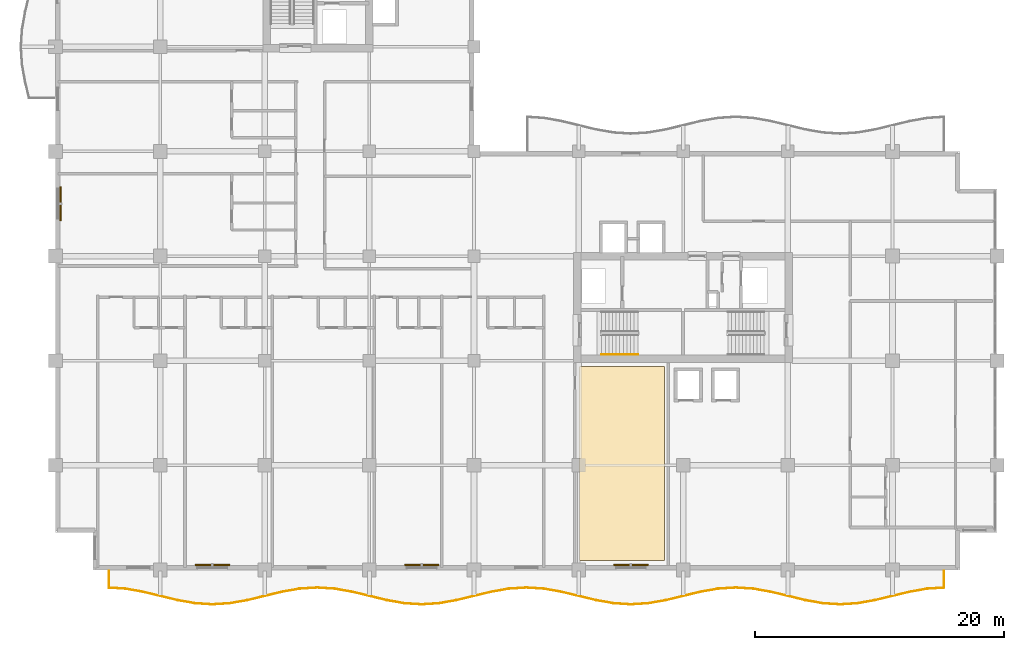
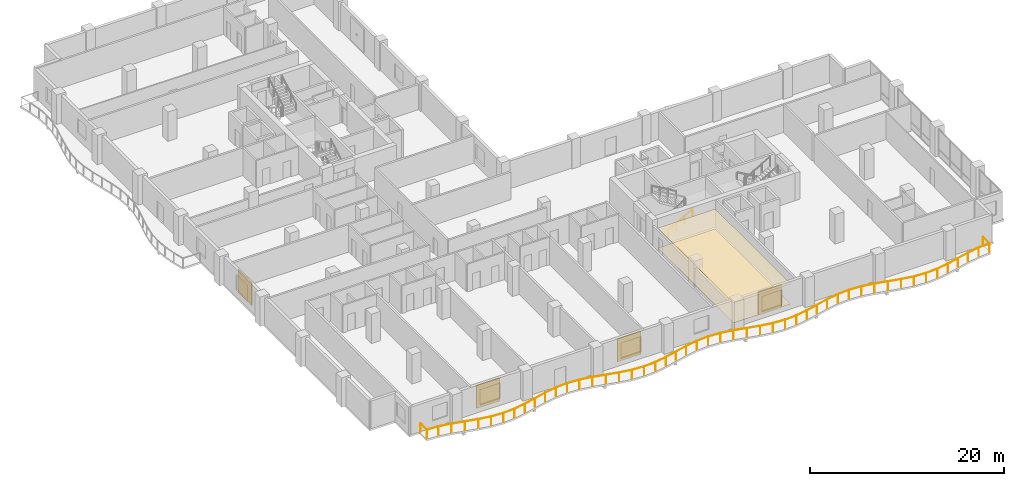
# One storey, part 18 of 21: 4 shading devices, 2 coverings, 2 railings.
"""IFC4 building model written with IfcOpenShell, lengths in metres."""

from ifc_helpers import new_model, si_unit, direction, frame, origin, origin_2d, place, context, subcontext, project, spatial, polyline, rectangle, circle, outline, extrude, material, layer, layer_set, type_object, element, save


model = new_model("IFC4")

# Units and contexts
model_context = context("Model", 3, precision=1e-05, world=origin(), true_north=direction((0.0, 1.0)))
body_context = subcontext(model_context, "Body", "Model", "MODEL_VIEW")
ifc_project = project(units=[si_unit("LENGTHUNIT", "METRE"), si_unit("AREAUNIT", "SQUARE_METRE"), si_unit("VOLUMEUNIT", "CUBIC_METRE"), si_unit("PLANEANGLEUNIT", "RADIAN"), si_unit("MASSUNIT", "GRAM", prefix="KILO")], contexts=[model_context])

# Site, building, storey
site_placement = place(None, origin())
site = spatial("IfcSite", under=ifc_project, at=site_placement, CompositionType="ELEMENT")
building_placement = place(site_placement, origin())
building = spatial("IfcBuilding", under=site, at=building_placement, Name="Koriwani Terraces Tower", CompositionType="ELEMENT")
storey_placement = place(building_placement, frame((0.0, 0.0, 197.60009765625)))
storey = spatial("IfcBuildingStorey", under=building, at=storey_placement, Name="L48", CompositionType="ELEMENT", Elevation=197.60009765625)

# Coverings
ifc_material_1 = material(Name="Fire-Rated Acoustic Gypsum Partition", Category="masonry")
ifc_layer_1 = layer(ifc_material_1, 0.02490234375, Name="Fire-Rated Acoustic Gypsum Partition")
ifc_layer_set_1 = layer_set([ifc_layer_1], Name="Fire-Rated Acoustic Gypsum Partition")
covering_type_1 = type_object("IfcCoveringType", Name="CEILING_ACOUSTIC_GYPSUM", PredefinedType="CEILING", material=ifc_layer_set_1)
covering_1_placement = place(storey_placement, frame((0.0, 0.0, 2.52490234375)))
element("IfcCovering", 1, at=covering_1_placement, inside=storey, type_object=covering_type_1, Name="L48 Suspended Acoustic Gypsum Ceiling", PredefinedType="CEILING", context=body_context, shape_type="SweptSolid", body=[
    extrude(outline(polyline([(42.050048828125, 0.75), (42.050048828125, 16.35009765625), (48.89990234375, 16.35009765625), (48.89990234375, 0.75), (42.050048828125, 0.75)])), origin(), (0.0, 0.0, 1.0), 0.02490234375),
])
ifc_material_2 = material(Name="Polished Andean Slate Flooring", Category="masonry")
ifc_layer_2 = layer(ifc_material_2, 0.030029296875, Name="Polished Andean Slate Flooring")
ifc_layer_set_2 = layer_set([ifc_layer_2], Name="Polished Andean Slate Flooring")
covering_type_2 = type_object("IfcCoveringType", Name="FLOORING_ANDEAN_STONE", PredefinedType="FLOORING", material=ifc_layer_set_2)
covering_2_placement = place(storey_placement, origin())
element("IfcCovering", 2, at=covering_2_placement, inside=storey, type_object=covering_type_2, Name="L48 Polished Andean Slate Floor Finish", PredefinedType="FLOORING", context=body_context, shape_type="SweptSolid", body=[
    extrude(outline(polyline([(42.050048828125, 0.75), (42.050048828125, 16.35009765625), (48.89990234375, 16.35009765625), (48.89990234375, 0.75), (42.050048828125, 0.75)])), origin(), (0.0, 0.0, 1.0), 0.02978515625),
])

# Railings
ifc_material_3 = material(Name="Steel ASTM A572 Grade 50", Category="steel")
railing_type_1 = type_object("IfcRailingType", Name="GUARD_BALUSTRADE_1150", PredefinedType="BALUSTRADE", material=ifc_material_3)
railing_1_placement = place(storey_placement, frame((4.280029296875, -0.080078125, 0.0)))
element("IfcRailing", 3, at=railing_1_placement, inside=storey, type_object=railing_type_1, Name="L48 Balcony Perimeter Safety Balustrade (S)", PredefinedType="BALUSTRADE", context=body_context, shape_type="SweptSolid", body=[
    extrude(circle(Radius=0.02392578125, at=origin_2d()), frame((0.0, 0.0, 1.1259765625), z_axis=(0.0, -1.0, 0.0), x_axis=(1.0, 0.0, 0.0)), (0.0, 0.0, 1.0), 1.344970703125),
    extrude(circle(Radius=0.02392578125, at=origin_2d()), frame((0.0, -1.344970703125, 1.1259765625), z_axis=(0.997917706639, -0.064500006011, 0.0), x_axis=(0.064500006011, 0.997917706639, 0.0)), (0.0, 0.0, 1.0), 1.332275390625),
    extrude(circle(Radius=0.02392578125, at=origin_2d()), frame((1.32958984375, -1.430908203125, 1.1259765625), z_axis=(0.984778396698, -0.173814583381, 0.0), x_axis=(0.173814583381, 0.984778396698, 0.0)), (0.0, 0.0, 1.0), 1.428466796875),
    extrude(circle(Radius=0.02392578125, at=origin_2d()), frame((2.736328125, -1.67919921875, 1.1259765625), z_axis=(0.972166814785, -0.234289744186, 0.0), x_axis=(0.234289744186, 0.972166814785, 0.0)), (0.0, 0.0, 1.0), 2.880126953125),
    extrude(circle(Radius=0.02392578125, at=origin_2d()), frame((5.536376953125, -2.35400390625, 1.1259765625), z_axis=(0.984757491153, -0.173932985997, 0.0), x_axis=(0.173932985997, 0.984757491153, 0.0)), (0.0, 0.0, 1.0), 1.414794921875),
    extrude(circle(Radius=0.02392578125, at=origin_2d()), frame((6.9296875, -2.60009765625, 1.1259765625), z_axis=(0.997930027485, -0.064309099225, 0.0), x_axis=(0.064309099225, 0.997930027485, 0.0)), (0.0, 0.0, 1.0), 1.393310546875),
    extrude(circle(Radius=0.02392578125, at=origin_2d()), frame((8.320068359375, -2.689697265625, 1.1259765625), z_axis=(0.997930027485, 0.064309099225, 0.0), x_axis=(-0.064309099225, 0.997930027485, 0.0)), (0.0, 0.0, 1.0), 1.393310546875),
    extrude(circle(Radius=0.02392578125, at=origin_2d()), frame((9.71044921875, -2.60009765625, 1.1259765625), z_axis=(0.984757491153, 0.173932985997, 0.0), x_axis=(-0.173932985997, 0.984757491153, 0.0)), (0.0, 0.0, 1.0), 1.414794921875),
    extrude(circle(Radius=0.02392578125, at=origin_2d()), frame((11.103759765625, -2.35400390625, 1.1259765625), z_axis=(0.97216216133, 0.234309052487, 0.0), x_axis=(-0.234309052487, 0.97216216133, 0.0)), (0.0, 0.0, 1.0), 2.8798828125),
    extrude(circle(Radius=0.02392578125, at=origin_2d()), frame((13.903564453125, -1.67919921875, 1.1259765625), z_axis=(0.984783558818, 0.173785333909, 0.0), x_axis=(-0.173785333909, 0.984783558818, 0.0)), (0.0, 0.0, 1.0), 1.4287109375),
    extrude(circle(Radius=0.02392578125, at=origin_2d()), frame((15.310546875, -1.430908203125, 1.1259765625), z_axis=(0.997930321615, 0.064304534842, 0.0), x_axis=(-0.064304534842, 0.997930321615, 0.0)), (0.0, 0.0, 1.0), 1.412353515625),
    extrude(circle(Radius=0.02392578125, at=origin_2d()), frame((16.719970703125, -1.340087890625, 1.1259765625), z_axis=(0.997930321615, -0.064304534842, 0.0), x_axis=(0.064304534842, 0.997930321615, 0.0)), (0.0, 0.0, 1.0), 1.412353515625),
    extrude(circle(Radius=0.02392578125, at=origin_2d()), frame((18.12939453125, -1.430908203125, 1.1259765625), z_axis=(0.984783558818, -0.173785333909, 0.0), x_axis=(0.173785333909, 0.984783558818, 0.0)), (0.0, 0.0, 1.0), 1.4287109375),
    extrude(circle(Radius=0.02392578125, at=origin_2d()), frame((19.536376953125, -1.67919921875, 1.1259765625), z_axis=(0.97216216133, -0.234309052487, 0.0), x_axis=(0.234309052487, 0.97216216133, 0.0)), (0.0, 0.0, 1.0), 2.8798828125),
    extrude(circle(Radius=0.02392578125, at=origin_2d()), frame((22.336181640625, -2.35400390625, 1.1259765625), z_axis=(0.984757491153, -0.173932985997, 0.0), x_axis=(0.173932985997, 0.984757491153, 0.0)), (0.0, 0.0, 1.0), 1.414794921875),
    extrude(circle(Radius=0.02392578125, at=origin_2d()), frame((23.7294921875, -2.60009765625, 1.1259765625), z_axis=(0.997930027485, -0.064309099225, 0.0), x_axis=(0.064309099225, 0.997930027485, 0.0)), (0.0, 0.0, 1.0), 1.393310546875),
    extrude(circle(Radius=0.02392578125, at=origin_2d()), frame((25.119873046875, -2.689697265625, 1.1259765625), z_axis=(0.997930027485, 0.064309099225, 0.0), x_axis=(-0.064309099225, 0.997930027485, 0.0)), (0.0, 0.0, 1.0), 1.393310546875),
    extrude(circle(Radius=0.02392578125, at=origin_2d()), frame((26.51025390625, -2.60009765625, 1.1259765625), z_axis=(0.984757491153, 0.173932985997, 0.0), x_axis=(-0.173932985997, 0.984757491153, 0.0)), (0.0, 0.0, 1.0), 1.414794921875),
    extrude(circle(Radius=0.02392578125, at=origin_2d()), frame((27.903564453125, -2.35400390625, 1.1259765625), z_axis=(0.972166814785, 0.234289744186, 0.0), x_axis=(-0.234289744186, 0.972166814785, 0.0)), (0.0, 0.0, 1.0), 2.880126953125),
    extrude(circle(Radius=0.02392578125, at=origin_2d()), frame((30.70361328125, -1.67919921875, 1.1259765625), z_axis=(0.984778396698, 0.173814583381, 0.0), x_axis=(-0.173814583381, 0.984778396698, 0.0)), (0.0, 0.0, 1.0), 1.428466796875),
    extrude(circle(Radius=0.02392578125, at=origin_2d()), frame((32.1103515625, -1.430908203125, 1.1259765625), z_axis=(0.997931036226, 0.064293443969, 0.0), x_axis=(-0.064293443969, 0.997931036226, 0.0)), (0.0, 0.0, 1.0), 1.41259765625),
    extrude(circle(Radius=0.02392578125, at=origin_2d()), frame((33.52001953125, -1.340087890625, 1.1259765625), z_axis=(0.997930321615, -0.064304534842, 0.0), x_axis=(0.064304534842, 0.997930321615, 0.0)), (0.0, 0.0, 1.0), 1.412353515625),
    extrude(circle(Radius=0.02392578125, at=origin_2d()), frame((34.929443359375, -1.430908203125, 1.1259765625), z_axis=(0.984778396698, -0.173814583381, 0.0), x_axis=(0.173814583381, 0.984778396698, 0.0)), (0.0, 0.0, 1.0), 1.428466796875),
    extrude(circle(Radius=0.02392578125, at=origin_2d()), frame((36.336181640625, -1.67919921875, 1.1259765625), z_axis=(0.972166814785, -0.234289744186, 0.0), x_axis=(0.234289744186, 0.972166814785, 0.0)), (0.0, 0.0, 1.0), 2.880126953125),
    extrude(circle(Radius=0.02392578125, at=origin_2d()), frame((39.13623046875, -2.35400390625, 1.1259765625), z_axis=(0.984757491153, -0.173932985997, 0.0), x_axis=(0.173932985997, 0.984757491153, 0.0)), (0.0, 0.0, 1.0), 1.414794921875),
    extrude(circle(Radius=0.02392578125, at=origin_2d()), frame((40.529541015625, -2.60009765625, 1.1259765625), z_axis=(0.997930027485, -0.064309099225, 0.0), x_axis=(0.064309099225, 0.997930027485, 0.0)), (0.0, 0.0, 1.0), 1.393310546875),
    extrude(circle(Radius=0.02392578125, at=origin_2d()), frame((41.919921875, -2.689697265625, 1.1259765625), z_axis=(0.997930027485, 0.064309099225, 0.0), x_axis=(-0.064309099225, 0.997930027485, 0.0)), (0.0, 0.0, 1.0), 1.393310546875),
    extrude(circle(Radius=0.02392578125, at=origin_2d()), frame((43.310302734375, -2.60009765625, 1.1259765625), z_axis=(0.984757491153, 0.173932985997, 0.0), x_axis=(-0.173932985997, 0.984757491153, 0.0)), (0.0, 0.0, 1.0), 1.414794921875),
    extrude(circle(Radius=0.02392578125, at=origin_2d()), frame((44.70361328125, -2.35400390625, 1.1259765625), z_axis=(0.972166814785, 0.234289744186, 0.0), x_axis=(-0.234289744186, 0.972166814785, 0.0)), (0.0, 0.0, 1.0), 2.880126953125),
    extrude(circle(Radius=0.02392578125, at=origin_2d()), frame((47.503662109375, -1.67919921875, 1.1259765625), z_axis=(0.984778396698, 0.173814583381, 0.0), x_axis=(-0.173814583381, 0.984778396698, 0.0)), (0.0, 0.0, 1.0), 1.428466796875),
    extrude(circle(Radius=0.02392578125, at=origin_2d()), frame((48.910400390625, -1.430908203125, 1.1259765625), z_axis=(0.997931036226, 0.064293443969, 0.0), x_axis=(-0.064293443969, 0.997931036226, 0.0)), (0.0, 0.0, 1.0), 1.41259765625),
    extrude(circle(Radius=0.02392578125, at=origin_2d()), frame((50.320068359375, -1.340087890625, 1.1259765625), z_axis=(0.997930321615, -0.064304534842, 0.0), x_axis=(0.064304534842, 0.997930321615, 0.0)), (0.0, 0.0, 1.0), 1.412353515625),
    extrude(circle(Radius=0.02392578125, at=origin_2d()), frame((51.7294921875, -1.430908203125, 1.1259765625), z_axis=(0.984778396698, -0.173814583381, 0.0), x_axis=(0.173814583381, 0.984778396698, 0.0)), (0.0, 0.0, 1.0), 1.428466796875),
    extrude(circle(Radius=0.02392578125, at=origin_2d()), frame((53.13623046875, -1.67919921875, 1.1259765625), z_axis=(0.972166814785, -0.234289744186, 0.0), x_axis=(0.234289744186, 0.972166814785, 0.0)), (0.0, 0.0, 1.0), 2.880126953125),
    extrude(circle(Radius=0.02392578125, at=origin_2d()), frame((55.936279296875, -2.35400390625, 1.1259765625), z_axis=(0.984757491153, -0.173932985997, 0.0), x_axis=(0.173932985997, 0.984757491153, 0.0)), (0.0, 0.0, 1.0), 1.414794921875),
    extrude(circle(Radius=0.02392578125, at=origin_2d()), frame((57.32958984375, -2.60009765625, 1.1259765625), z_axis=(0.997930027485, -0.064309099225, 0.0), x_axis=(0.064309099225, 0.997930027485, 0.0)), (0.0, 0.0, 1.0), 1.393310546875),
    extrude(circle(Radius=0.02392578125, at=origin_2d()), frame((58.719970703125, -2.689697265625, 1.1259765625), z_axis=(0.997930027485, 0.064309099225, 0.0), x_axis=(-0.064309099225, 0.997930027485, 0.0)), (0.0, 0.0, 1.0), 1.393310546875),
    extrude(circle(Radius=0.02392578125, at=origin_2d()), frame((60.1103515625, -2.60009765625, 1.1259765625), z_axis=(0.984757491153, 0.173932985997, 0.0), x_axis=(-0.173932985997, 0.984757491153, 0.0)), (0.0, 0.0, 1.0), 1.414794921875),
    extrude(circle(Radius=0.02392578125, at=origin_2d()), frame((61.503662109375, -2.35400390625, 1.1259765625), z_axis=(0.972166814785, 0.234289744186, 0.0), x_axis=(-0.234289744186, 0.972166814785, 0.0)), (0.0, 0.0, 1.0), 2.880126953125),
    extrude(circle(Radius=0.02392578125, at=origin_2d()), frame((64.3037109375, -1.67919921875, 1.1259765625), z_axis=(0.984778396698, 0.173814583381, 0.0), x_axis=(-0.173814583381, 0.984778396698, 0.0)), (0.0, 0.0, 1.0), 1.428466796875),
    extrude(circle(Radius=0.02392578125, at=origin_2d()), frame((65.71044921875, -1.430908203125, 1.1259765625), z_axis=(0.997917706639, 0.064500006011, 0.0), x_axis=(-0.064500006011, 0.997917706639, 0.0)), (0.0, 0.0, 1.0), 1.332275390625),
    extrude(circle(Radius=0.02392578125, at=origin_2d()), frame((67.0400390625, -1.344970703125, 1.1259765625), z_axis=(0.0, 1.0, 0.0), x_axis=(-1.0, 0.0, 0.0)), (0.0, 0.0, 1.0), 1.344970703125),
    extrude(circle(Radius=0.02099609375, at=origin_2d()), origin(), (0.0, 0.0, 1.0), 1.101806640625),
    extrude(circle(Radius=0.02099609375, at=origin_2d()), frame((0.0, -1.344970703125, 0.0)), (0.0, 0.0, 1.0), 1.101806640625),
    extrude(circle(Radius=0.02099609375, at=origin_2d()), frame((1.32958984375, -1.430908203125, 0.0)), (0.0, 0.0, 1.0), 1.101806640625),
    extrude(circle(Radius=0.02099609375, at=origin_2d()), frame((2.736328125, -1.67919921875, 0.0)), (0.0, 0.0, 1.0), 1.101806640625),
    extrude(circle(Radius=0.02099609375, at=origin_2d()), frame((4.13623046875, -2.0166015625, 0.0)), (0.0, 0.0, 1.0), 1.101806640625),
    extrude(circle(Radius=0.02099609375, at=origin_2d()), frame((5.536376953125, -2.35400390625, 0.0)), (0.0, 0.0, 1.0), 1.101806640625),
    extrude(circle(Radius=0.02099609375, at=origin_2d()), frame((6.9296875, -2.60009765625, 0.0)), (0.0, 0.0, 1.0), 1.101806640625),
    extrude(circle(Radius=0.02099609375, at=origin_2d()), frame((8.320068359375, -2.689697265625, 0.0)), (0.0, 0.0, 1.0), 1.101806640625),
    extrude(circle(Radius=0.02099609375, at=origin_2d()), frame((9.71044921875, -2.60009765625, 0.0)), (0.0, 0.0, 1.0), 1.101806640625),
    extrude(circle(Radius=0.02099609375, at=origin_2d()), frame((11.103759765625, -2.35400390625, 0.0)), (0.0, 0.0, 1.0), 1.101806640625),
    extrude(circle(Radius=0.02099609375, at=origin_2d()), frame((12.503662109375, -2.0166015625, 0.0)), (0.0, 0.0, 1.0), 1.101806640625),
    extrude(circle(Radius=0.02099609375, at=origin_2d()), frame((13.903564453125, -1.67919921875, 0.0)), (0.0, 0.0, 1.0), 1.101806640625),
    extrude(circle(Radius=0.02099609375, at=origin_2d()), frame((15.310546875, -1.430908203125, 0.0)), (0.0, 0.0, 1.0), 1.101806640625),
    extrude(circle(Radius=0.02099609375, at=origin_2d()), frame((16.719970703125, -1.340087890625, 0.0)), (0.0, 0.0, 1.0), 1.101806640625),
    extrude(circle(Radius=0.02099609375, at=origin_2d()), frame((18.12939453125, -1.430908203125, 0.0)), (0.0, 0.0, 1.0), 1.101806640625),
    extrude(circle(Radius=0.02099609375, at=origin_2d()), frame((19.536376953125, -1.67919921875, 0.0)), (0.0, 0.0, 1.0), 1.101806640625),
    extrude(circle(Radius=0.02099609375, at=origin_2d()), frame((20.936279296875, -2.0166015625, 0.0)), (0.0, 0.0, 1.0), 1.101806640625),
    extrude(circle(Radius=0.02099609375, at=origin_2d()), frame((22.336181640625, -2.35400390625, 0.0)), (0.0, 0.0, 1.0), 1.101806640625),
    extrude(circle(Radius=0.02099609375, at=origin_2d()), frame((23.7294921875, -2.60009765625, 0.0)), (0.0, 0.0, 1.0), 1.101806640625),
    extrude(circle(Radius=0.02099609375, at=origin_2d()), frame((25.119873046875, -2.689697265625, 0.0)), (0.0, 0.0, 1.0), 1.101806640625),
    extrude(circle(Radius=0.02099609375, at=origin_2d()), frame((26.51025390625, -2.60009765625, 0.0)), (0.0, 0.0, 1.0), 1.101806640625),
    extrude(circle(Radius=0.02099609375, at=origin_2d()), frame((27.903564453125, -2.35400390625, 0.0)), (0.0, 0.0, 1.0), 1.101806640625),
    extrude(circle(Radius=0.02099609375, at=origin_2d()), frame((29.3037109375, -2.0166015625, 0.0)), (0.0, 0.0, 1.0), 1.101806640625),
    extrude(circle(Radius=0.02099609375, at=origin_2d()), frame((30.70361328125, -1.67919921875, 0.0)), (0.0, 0.0, 1.0), 1.101806640625),
    extrude(circle(Radius=0.02099609375, at=origin_2d()), frame((32.1103515625, -1.430908203125, 0.0)), (0.0, 0.0, 1.0), 1.101806640625),
    extrude(circle(Radius=0.02099609375, at=origin_2d()), frame((33.52001953125, -1.340087890625, 0.0)), (0.0, 0.0, 1.0), 1.101806640625),
    extrude(circle(Radius=0.02099609375, at=origin_2d()), frame((34.929443359375, -1.430908203125, 0.0)), (0.0, 0.0, 1.0), 1.101806640625),
    extrude(circle(Radius=0.02099609375, at=origin_2d()), frame((36.336181640625, -1.67919921875, 0.0)), (0.0, 0.0, 1.0), 1.101806640625),
    extrude(circle(Radius=0.02099609375, at=origin_2d()), frame((37.736328125, -2.0166015625, 0.0)), (0.0, 0.0, 1.0), 1.101806640625),
    extrude(circle(Radius=0.02099609375, at=origin_2d()), frame((39.13623046875, -2.35400390625, 0.0)), (0.0, 0.0, 1.0), 1.101806640625),
    extrude(circle(Radius=0.02099609375, at=origin_2d()), frame((40.529541015625, -2.60009765625, 0.0)), (0.0, 0.0, 1.0), 1.101806640625),
    extrude(circle(Radius=0.02099609375, at=origin_2d()), frame((41.919921875, -2.689697265625, 0.0)), (0.0, 0.0, 1.0), 1.101806640625),
    extrude(circle(Radius=0.02099609375, at=origin_2d()), frame((43.310302734375, -2.60009765625, 0.0)), (0.0, 0.0, 1.0), 1.101806640625),
    extrude(circle(Radius=0.02099609375, at=origin_2d()), frame((44.70361328125, -2.35400390625, 0.0)), (0.0, 0.0, 1.0), 1.101806640625),
    extrude(circle(Radius=0.02099609375, at=origin_2d()), frame((46.103515625, -2.0166015625, 0.0)), (0.0, 0.0, 1.0), 1.101806640625),
    extrude(circle(Radius=0.02099609375, at=origin_2d()), frame((47.503662109375, -1.67919921875, 0.0)), (0.0, 0.0, 1.0), 1.101806640625),
    extrude(circle(Radius=0.02099609375, at=origin_2d()), frame((48.910400390625, -1.430908203125, 0.0)), (0.0, 0.0, 1.0), 1.101806640625),
    extrude(circle(Radius=0.02099609375, at=origin_2d()), frame((50.320068359375, -1.340087890625, 0.0)), (0.0, 0.0, 1.0), 1.101806640625),
    extrude(circle(Radius=0.02099609375, at=origin_2d()), frame((51.7294921875, -1.430908203125, 0.0)), (0.0, 0.0, 1.0), 1.101806640625),
    extrude(circle(Radius=0.02099609375, at=origin_2d()), frame((53.13623046875, -1.67919921875, 0.0)), (0.0, 0.0, 1.0), 1.101806640625),
    extrude(circle(Radius=0.02099609375, at=origin_2d()), frame((54.5361328125, -2.0166015625, 0.0)), (0.0, 0.0, 1.0), 1.101806640625),
    extrude(circle(Radius=0.02099609375, at=origin_2d()), frame((55.936279296875, -2.35400390625, 0.0)), (0.0, 0.0, 1.0), 1.101806640625),
    extrude(circle(Radius=0.02099609375, at=origin_2d()), frame((57.32958984375, -2.60009765625, 0.0)), (0.0, 0.0, 1.0), 1.101806640625),
    extrude(circle(Radius=0.02099609375, at=origin_2d()), frame((58.719970703125, -2.689697265625, 0.0)), (0.0, 0.0, 1.0), 1.101806640625),
    extrude(circle(Radius=0.02099609375, at=origin_2d()), frame((60.1103515625, -2.60009765625, 0.0)), (0.0, 0.0, 1.0), 1.101806640625),
    extrude(circle(Radius=0.02099609375, at=origin_2d()), frame((61.503662109375, -2.35400390625, 0.0)), (0.0, 0.0, 1.0), 1.101806640625),
    extrude(circle(Radius=0.02099609375, at=origin_2d()), frame((62.90380859375, -2.0166015625, 0.0)), (0.0, 0.0, 1.0), 1.101806640625),
    extrude(circle(Radius=0.02099609375, at=origin_2d()), frame((64.3037109375, -1.67919921875, 0.0)), (0.0, 0.0, 1.0), 1.101806640625),
    extrude(circle(Radius=0.02099609375, at=origin_2d()), frame((65.71044921875, -1.430908203125, 0.0)), (0.0, 0.0, 1.0), 1.101806640625),
    extrude(circle(Radius=0.02099609375, at=origin_2d()), frame((67.0400390625, -1.344970703125, 0.0)), (0.0, 0.0, 1.0), 1.101806640625),
    extrude(circle(Radius=0.02099609375, at=origin_2d()), frame((67.0400390625, 0.0, 0.0)), (0.0, 0.0, 1.0), 1.101806640625),
])
railing_type_2 = type_object("IfcRailingType", Name="HANDRAIL_STAIR_920", PredefinedType="HANDRAIL", material=ifc_material_3)
railing_2_placement = place(storey_placement, frame((43.85009765625, 17.300048828125, 0.16796875)))
element("IfcRailing", 4, at=railing_2_placement, inside=storey, type_object=railing_type_2, Name="L48 ST-E1 stair handrail 1", PredefinedType="HANDRAIL", context=body_context, shape_type="SweptSolid", body=[
    extrude(circle(Radius=0.02392578125, at=origin_2d()), frame((0.0, 0.0, 0.8759765625), z_axis=(0.865038774852, 0.0, 0.501705010941), x_axis=(0.0, 1.0, 0.0)), (0.0, 0.0, 1.0), 3.352294921875),
    extrude(circle(Radius=0.02099609375, at=origin_2d()), origin(), (0.0, 0.0, 1.0), 0.851806640625),
    extrude(circle(Radius=0.02099609375, at=origin_2d()), frame((0.966552734375, 0.0, 0.560546875)), (0.0, 0.0, 1.0), 0.851806640625),
    extrude(circle(Radius=0.02099609375, at=origin_2d()), frame((1.933349609375, 0.0, 1.121337890625)), (0.0, 0.0, 1.0), 0.851806640625),
    extrude(circle(Radius=0.02099609375, at=origin_2d()), frame((2.89990234375, 0.0, 1.681884765625)), (0.0, 0.0, 1.0), 0.851806640625),
])

# Shading devices
ifc_material_4 = material(Name="Extruded Terracotta Clay", Category="masonry")
ifc_layer_3 = layer(ifc_material_4, 0.1201171875, Name="Extruded Terracotta Clay")
ifc_layer_set_3 = layer_set([ifc_layer_3], Name="Extruded Terracotta Clay")
shading_device_type = type_object("IfcShadingDeviceType", Name="TERRACOTTA_BAGUETTE_SCREEN_2800", PredefinedType="USERDEFINED", material=ifc_layer_set_3)
for number, where, z_axis, x_axis, name in (
    (5, (0.405029296875, 29.39990234375, 0.284912109375), (0.0, 0.0, 1.0), (0.0, 1.0, 0.0), "L48 Extruded Terracotta Baguette Screen (W-9)"),
    (6, (12.60009765625, 0.405029296875, 0.284912109375), (0.0, 0.0, 1.0), (-1.0, 0.0, 0.0), "L48 Extruded Terracotta Baguette Screen (S-3)"),
    (7, (29.39990234375, 0.405029296875, 0.284912109375), (0.0, 0.0, 1.0), (-1.0, 0.0, 0.0), "L48 Extruded Terracotta Baguette Screen (S-9)"),
    (8, (46.199951171875, 0.405029296875, 0.284912109375), (0.0, 0.0, 1.0), (-1.0, 0.0, 0.0), "L48 Extruded Terracotta Baguette Screen (S-15)"),
):
    element("IfcShadingDevice", number, at=place(storey_placement, frame(where, z_axis=z_axis, x_axis=x_axis)), inside=storey, type_object=shading_device_type, Name=name, ObjectType="BAGUETTE", PredefinedType="USERDEFINED", context=body_context, shape_type="SweptSolid", body=[
        extrude(rectangle(XDim=2.760009765625, YDim=0.1201171875, at=origin_2d()), origin(), (0.0, 0.0, 1.0), 2.89990234375),
    ])

save(model, "model.ifc")
